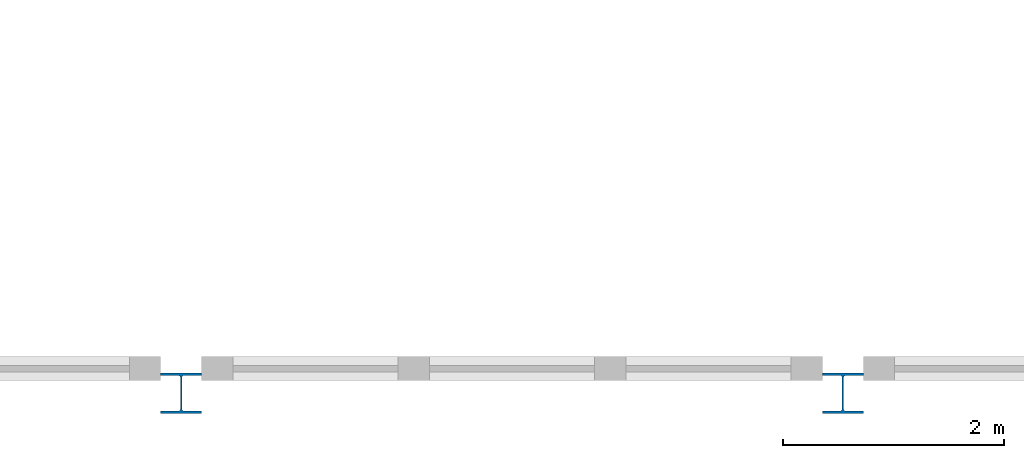
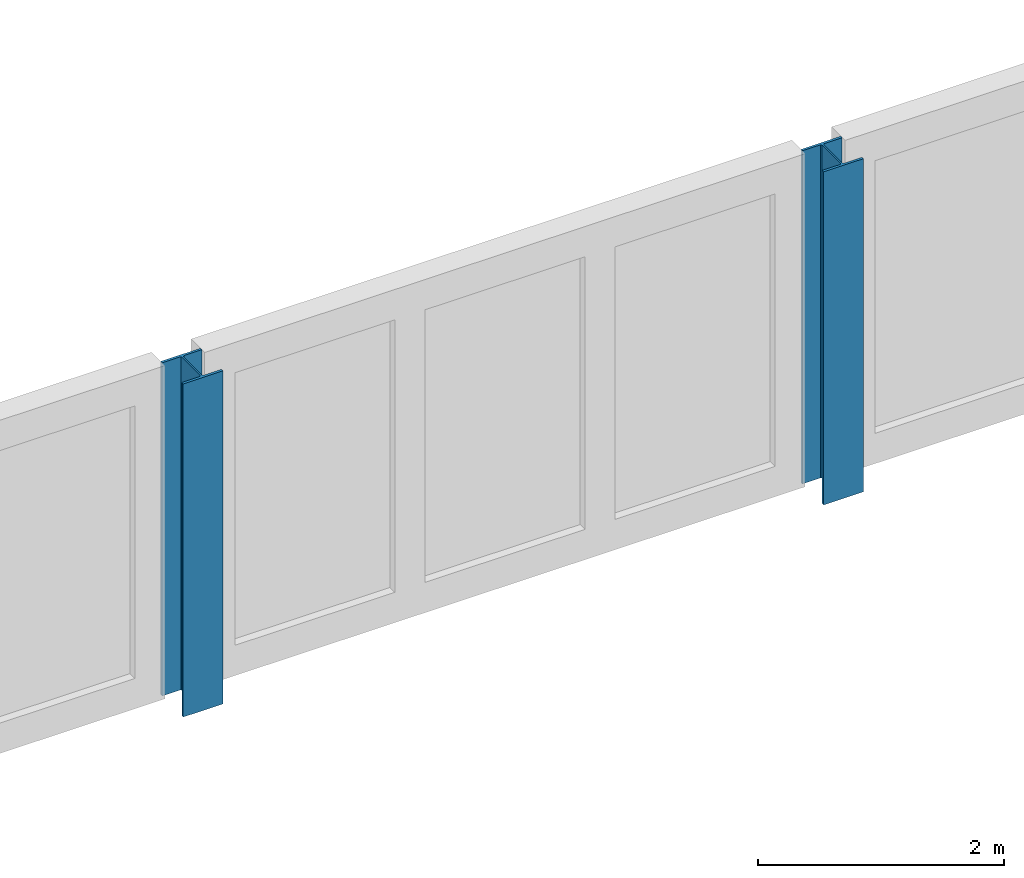
# One storey, part 2 of 198: 2 columns.
"""IFC4 building model written with IfcOpenShell, lengths in metres."""

from ifc_helpers import new_model, si_unit, direction, frame, origin, origin_2d, place, context, subcontext, project, spatial, i_section, extrude, material, material_profile, profile_set, type_object, element, save


model = new_model("IFC4")

# Units and contexts
model_context = context("Model", 3, precision=1e-05, world=origin(), true_north=direction((0.0, 1.0)))
body_context = subcontext(model_context, "Body", "Model", "MODEL_VIEW")
ifc_project = project(units=[si_unit("LENGTHUNIT", "METRE"), si_unit("AREAUNIT", "SQUARE_METRE"), si_unit("VOLUMEUNIT", "CUBIC_METRE"), si_unit("PLANEANGLEUNIT", "RADIAN"), si_unit("MASSUNIT", "GRAM", prefix="KILO")], contexts=[model_context])

# Site, building, storey
site_placement = place(None, origin())
site = spatial("IfcSite", under=ifc_project, at=site_placement, CompositionType="ELEMENT")
building_placement = place(site_placement, origin())
building = spatial("IfcBuilding", under=site, at=building_placement, Name="Parallax Yard Mobility Hub", CompositionType="ELEMENT")
storey_placement = place(building_placement, frame((0.0, 0.0, 6.60009765625)))
storey = spatial("IfcBuildingStorey", under=building, at=storey_placement, Name="L02", CompositionType="ELEMENT", Elevation=6.60009765625)

# Columns
ifc_material = material(Name="Steel ASTM A992", Category="steel")
ifc_material_profile = material_profile(ifc_material, i_section(OverallWidth=0.373046875, OverallDepth=0.367919921875, WebThickness=0.014892578125, FlangeThickness=0.02392578125, FilletRadius=0.01513671875, at=origin_2d()), Name="W360x179")
ifc_profile_set = profile_set([ifc_material_profile], Name="Steel ASTM A992")
column_type = type_object("IfcColumnType", Name="W360x179 column", PredefinedType="COLUMN", material=ifc_profile_set)
for number, where, z_axis, x_axis, name in (
    (1, (63.0, 7.5, 0.0), (0.0, 0.0, 1.0), (1.0, 0.0, 0.0), "Column C7 level L02 at F10/B of bus and taxi deck"),
    (2, (69.0, 7.5, 0.0), (0.0, 0.0, 1.0), (1.0, 0.0, 0.0), "Column C7 level L02 at F11/B of bus and taxi deck"),
):
    element("IfcColumn", number, at=place(storey_placement, frame(where, z_axis=z_axis, x_axis=x_axis)), inside=storey, type_object=column_type, Name=name, PredefinedType="COLUMN", context=body_context, shape_type="SweptSolid", body=[
        extrude(i_section(OverallWidth=0.373046875, OverallDepth=0.367919921875, WebThickness=0.014892578125, FlangeThickness=0.02392578125, FilletRadius=0.01513671875, at=origin_2d()), origin(), (0.0, 0.0, 1.0), 3.2998046875),
    ])

save(model, "model.ifc")
